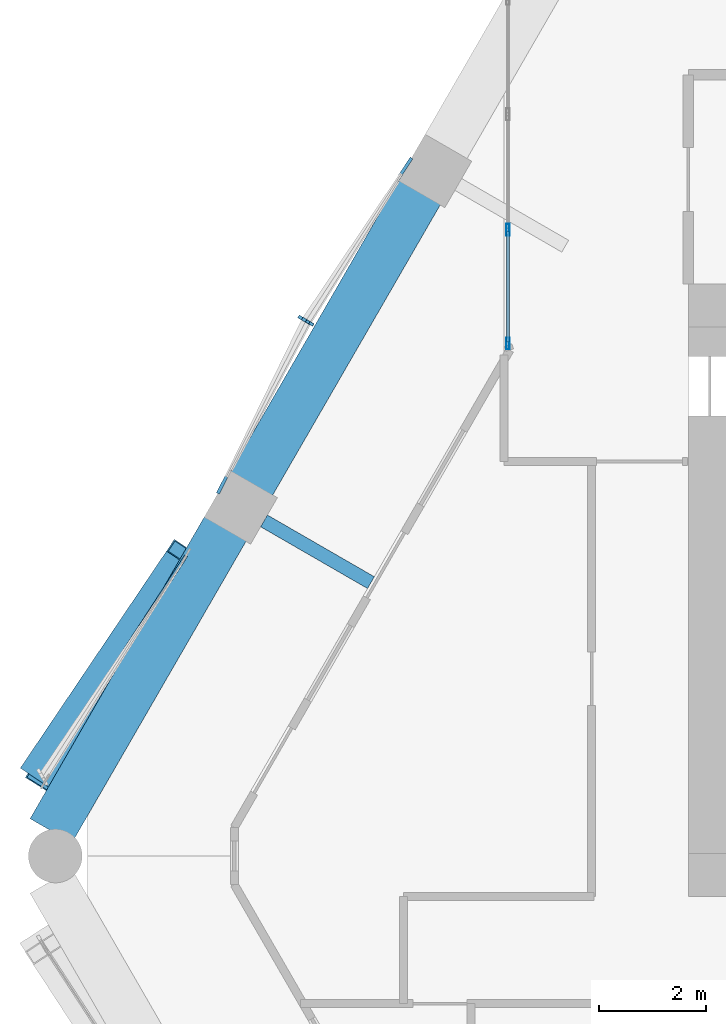
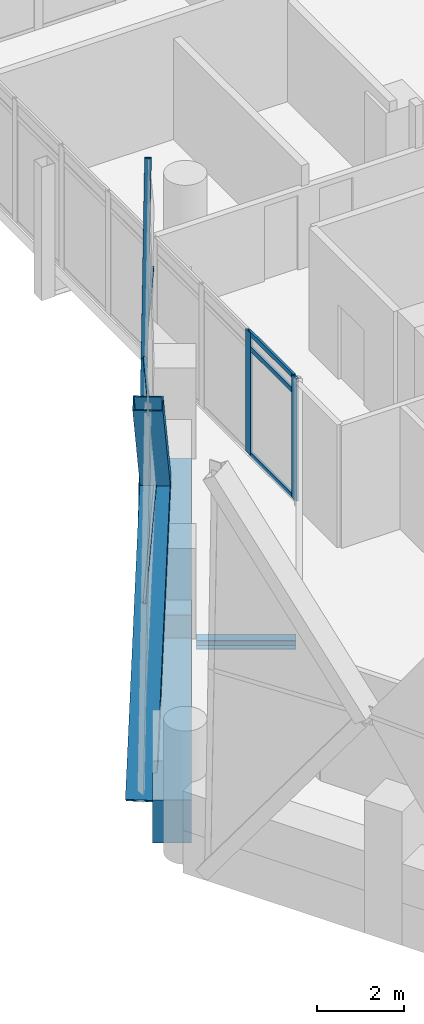
# One storey, part 15 of 37: 12 members, 3 beams, 3 elements without a shape of their own.
"""IFC4 building model written with IfcOpenShell, lengths in metres."""

from ifc_helpers import new_model, si_unit, direction, frame, origin, origin_2d, place, context, subcontext, project, spatial, rectangle, hollow_rectangle, i_section, extrude, material, material_profile, profile_set, type_object, element, aggregate, save


model = new_model("IFC4")

# Units and contexts
model_context = context("Model", 3, precision=1e-05, world=origin(), true_north=direction((0.0, 1.0)))
body_context = subcontext(model_context, "Body", "Model", "MODEL_VIEW")
ifc_project = project(units=[si_unit("LENGTHUNIT", "METRE"), si_unit("AREAUNIT", "SQUARE_METRE"), si_unit("VOLUMEUNIT", "CUBIC_METRE"), si_unit("PLANEANGLEUNIT", "RADIAN"), si_unit("MASSUNIT", "GRAM", prefix="KILO")], contexts=[model_context])

# Site, building, storey
site_placement = place(None, origin())
site = spatial("IfcSite", under=ifc_project, at=site_placement, CompositionType="ELEMENT")
building_placement = place(site_placement, origin())
building = spatial("IfcBuilding", under=site, at=building_placement, Name="Ostrander Bayou Hotel Tower", CompositionType="ELEMENT")
storey_placement = place(building_placement, frame((0.0, 0.0, 198.25)))
storey = spatial("IfcBuildingStorey", under=building, at=storey_placement, Name="L49", CompositionType="ELEMENT", Elevation=198.25)

# Curtain wall, members
ifc_material_1 = material(Name="Aluminium and clear glass", Category="aluminium")
curtain_wall_type_1 = type_object("IfcCurtainWallType", Name="CW-BAR glazed wall", PredefinedType="NOTDEFINED", material=ifc_material_1)
curtain_wall_1_placement = place(storey_placement, origin())
curtain_wall_1 = element("IfcCurtainWall", 1, at=curtain_wall_1_placement, inside=storey, type_object=curtain_wall_type_1, Name="CW-BAR L49:SB4N:E", PredefinedType="NOTDEFINED")
ifc_material_2 = material(Name="Aluminium", Category="aluminium")
ifc_material_profile_1 = material_profile(ifc_material_2, hollow_rectangle(XDim=0.06005859375, YDim=0.219970703125, WallThickness=0.00390625, at=origin_2d()))
ifc_profile_set_1 = profile_set([ifc_material_profile_1], Name="Aluminium")
member_type_1 = type_object("IfcMemberType", Name="CW-BR mullion 60 x 220 mm", PredefinedType="MULLION", material=ifc_profile_set_1)
member_1_placement = place(storey_placement, frame((-11.857177734375, 8.594482421875, 0.0), z_axis=(0.0, 0.0, 1.0), x_axis=(-1.0, 0.0, 0.0)))
member_1 = element("IfcMember", 2, at=member_1_placement, type_object=member_type_1, Name="CW-BAR mullion 1", PredefinedType="MULLION", context=body_context, shape_type="SweptSolid", body=[
    extrude(hollow_rectangle(XDim=0.06005859375, YDim=0.219970703125, WallThickness=0.00390625, at=origin_2d()), origin(), (0.0, 0.0, 1.0), 3.449951171875),
])
member_2_placement = place(storey_placement, frame((-11.857177734375, 10.714599609375, 0.0), z_axis=(0.0, 0.0, 1.0), x_axis=(-1.0, 0.0, 0.0)))
member_2 = element("IfcMember", 3, at=member_2_placement, type_object=member_type_1, Name="CW-BAR mullion 2", PredefinedType="MULLION", context=body_context, shape_type="SweptSolid", body=[
    extrude(hollow_rectangle(XDim=0.06005859375, YDim=0.219970703125, WallThickness=0.00390625, at=origin_2d()), origin(), (0.0, 0.0, 1.0), 3.449951171875),
])
ifc_material_3 = material(Name="Aluminium", Category="aluminium")
ifc_material_profile_2 = material_profile(ifc_material_3, hollow_rectangle(XDim=0.06005859375, YDim=0.1298828125, WallThickness=0.00390625, at=origin_2d()))
ifc_profile_set_2 = profile_set([ifc_material_profile_2], Name="Aluminium")
member_type_2 = type_object("IfcMemberType", Name="CW-BR transom 60 x 130 mm", PredefinedType="USERDEFINED", material=ifc_profile_set_2)
member_3_placement = place(storey_placement, frame((-11.857177734375, 8.62451171875, 0.030029296875), z_axis=(0.0, 1.0, 0.0), x_axis=(-1.0, 0.0, 0.0)))
member_3 = element("IfcMember", 4, at=member_3_placement, type_object=member_type_2, Name="CW-BAR transom 1.1", ObjectType="TRANSOM", PredefinedType="USERDEFINED", context=body_context, shape_type="SweptSolid", body=[
    extrude(hollow_rectangle(XDim=0.06005859375, YDim=0.1298828125, WallThickness=0.00390625, at=origin_2d()), origin(), (0.0, 0.0, 1.0), 2.06005859375),
])
member_4_placement = place(storey_placement, frame((-11.857177734375, 8.62451171875, 3.0), z_axis=(0.0, 1.0, 0.0), x_axis=(-1.0, 0.0, 0.0)))
member_4 = element("IfcMember", 5, at=member_4_placement, type_object=member_type_2, Name="CW-BAR transom 1.2", ObjectType="TRANSOM", PredefinedType="USERDEFINED", context=body_context, shape_type="SweptSolid", body=[
    extrude(hollow_rectangle(XDim=0.06005859375, YDim=0.1298828125, WallThickness=0.00390625, at=origin_2d()), origin(), (0.0, 0.0, 1.0), 2.06005859375),
])
member_5_placement = place(storey_placement, frame((-11.857177734375, 8.62451171875, 3.419921875), z_axis=(0.0, 1.0, 0.0), x_axis=(-1.0, 0.0, 0.0)))
member_5 = element("IfcMember", 6, at=member_5_placement, type_object=member_type_2, Name="CW-BAR transom 1.3", ObjectType="TRANSOM", PredefinedType="USERDEFINED", context=body_context, shape_type="SweptSolid", body=[
    extrude(hollow_rectangle(XDim=0.06005859375, YDim=0.1298828125, WallThickness=0.00390625, at=origin_2d()), origin(), (0.0, 0.0, 1.0), 2.06005859375),
])
aggregate(curtain_wall_1, [member_1, member_2, member_3, member_4, member_5])

ifc_material_4 = material(Name="Aluminium and clear glass", Category="aluminium")
curtain_wall_type_2 = type_object("IfcCurtainWallType", Name="CW-LAT lattice glazing", PredefinedType="NOTDEFINED", material=ifc_material_4)
curtain_wall_2_placement = place(storey_placement, origin())
curtain_wall_2 = element("IfcCurtainWall", 7, at=curtain_wall_2_placement, inside=storey, type_object=curtain_wall_type_2, Name="CW-LAT L49 NW 1", PredefinedType="NOTDEFINED")
ifc_material_5 = material(Name="Aluminium", Category="aluminium")
ifc_material_profile_3 = material_profile(ifc_material_5, hollow_rectangle(XDim=0.06005859375, YDim=0.159912109375, WallThickness=0.00390625, at=origin_2d()))
ifc_profile_set_3 = profile_set([ifc_material_profile_3], Name="Aluminium")
member_type_3 = type_object("IfcMemberType", Name="CW-LA mullion 60 x 160 mm", PredefinedType="MULLION", material=ifc_profile_set_3)
member_6_placement = place(storey_placement, frame((-15.693115234375, 9.060302734375, -0.60009765625), z_axis=(0.012585478078, -0.007247499445, 0.999894534185), x_axis=(0.499032451057, 0.866583298242, 0.0)))
member_6 = element("IfcMember", 8, at=member_6_placement, type_object=member_type_3, Name="CW-LAT mullion 1", PredefinedType="MULLION", context=body_context, shape_type="SweptSolid", body=[
    extrude(hollow_rectangle(XDim=0.06005859375, YDim=0.159912109375, WallThickness=0.00390625, at=origin_2d()), origin(), (0.0, 0.0, 1.0), 5.62548828125),
])
member_7_placement = place(storey_placement, frame((-15.622314453125, 9.01953125, 5.02490234375), z_axis=(0.012585474108, -0.007290895345, 0.999894218748), x_axis=(0.501271486133, 0.865290065348, 0.0)))
member_7 = element("IfcMember", 9, at=member_7_placement, type_object=member_type_3, Name="CW-LAT mullion 2", PredefinedType="MULLION", context=body_context, shape_type="SweptSolid", body=[
    extrude(hollow_rectangle(XDim=0.06005859375, YDim=0.159912109375, WallThickness=0.00390625, at=origin_2d()), origin(), (0.0, 0.0, 1.0), 5.62548828125),
])
aggregate(curtain_wall_2, [member_6, member_7])

curtain_wall_3_placement = place(storey_placement, origin())
curtain_wall_3 = element("IfcCurtainWall", 10, at=curtain_wall_3_placement, inside=storey, type_object=curtain_wall_type_2, Name="CW-LAT L49 NW 2", PredefinedType="NOTDEFINED")
ifc_material_6 = material(Name="Aluminium", Category="aluminium")
ifc_material_profile_4 = material_profile(ifc_material_6, hollow_rectangle(XDim=0.06005859375, YDim=0.1201171875, WallThickness=0.00390625, at=origin_2d()))
ifc_profile_set_4 = profile_set([ifc_material_profile_4], Name="Aluminium")
member_type_4 = type_object("IfcMemberType", Name="CW-LA transom 60 x 120 mm", PredefinedType="USERDEFINED", material=ifc_profile_set_4)
member_8_placement = place(storey_placement, frame((-15.622314453125, 9.01953125, 5.02490234375), z_axis=(0.544446826203, 0.838795358498, 0.0), x_axis=(-0.838795358498, 0.544446826203, 0.0)))
member_8 = element("IfcMember", 11, at=member_8_placement, type_object=member_type_4, Name="CW-LAT transom 3", ObjectType="TRANSOM", PredefinedType="USERDEFINED", context=body_context, shape_type="SweptSolid", body=[
    extrude(hollow_rectangle(XDim=0.06005859375, YDim=0.1201171875, WallThickness=0.00390625, at=origin_2d()), origin(), (0.0, 0.0, 1.0), 3.61376953125),
])
member_9_placement = place(storey_placement, frame((-15.622314453125, 9.01953125, 5.02490234375), z_axis=(-0.454203228225, -0.89089810162, 0.0), x_axis=(0.89089810162, -0.454203228225, 0.0)))
member_9 = element("IfcMember", 12, at=member_9_placement, type_object=member_type_4, Name="CW-LAT transom 4", ObjectType="TRANSOM", PredefinedType="USERDEFINED", context=body_context, shape_type="SweptSolid", body=[
    extrude(hollow_rectangle(XDim=0.06005859375, YDim=0.1201171875, WallThickness=0.00390625, at=origin_2d()), origin(), (0.0, 0.0, 1.0), 3.611572265625),
])
member_10_placement = place(storey_placement, frame((-20.529052734375, 0.5205078125, 5.02490234375), z_axis=(0.544418878198, 0.838813498379, 0.0), x_axis=(-0.838813498379, 0.544418878198, 0.0)))
member_10 = element("IfcMember", 13, at=member_10_placement, type_object=member_type_4, Name="CW-LAT transom 7", ObjectType="TRANSOM", PredefinedType="USERDEFINED", context=body_context, shape_type="SweptSolid", body=[
    extrude(hollow_rectangle(XDim=0.06005859375, YDim=0.1201171875, WallThickness=0.00390625, at=origin_2d()), origin(), (0.0, 0.0, 1.0), 4.91357421875),
])
aggregate(curtain_wall_3, [member_8, member_9, member_10])

# Beam
ifc_material_7 = material(Name="Steel ASTM A992", Category="steel")
ifc_material_profile_5 = material_profile(ifc_material_7, i_section(OverallWidth=0.25390625, OverallDepth=0.25341796875, WebThickness=0.008544921875, FlangeThickness=0.01416015625, at=origin_2d()))
ifc_profile_set_5 = profile_set([ifc_material_profile_5], Name="Steel ASTM A992")
beam_type_1 = type_object("IfcBeamType", Name="LB2 loggia bracket W10x49", PredefinedType="BEAM", material=ifc_profile_set_5)
beam_1_placement = place(storey_placement, frame((-16.40234375, 5.2919921875, -0.4267578125), z_axis=(0.866053019151, -0.499952165731, 0.0), x_axis=(0.499952165731, 0.866053019151, 0.0)))
element("IfcBeam", 14, at=beam_1_placement, inside=storey, type_object=beam_type_1, Name="LB2 L49 NW2", PredefinedType="BEAM", context=body_context, shape_type="SweptSolid", body=[
    extrude(i_section(OverallWidth=0.25390625, OverallDepth=0.25341796875, WebThickness=0.008544921875, FlangeThickness=0.01416015625, at=origin_2d()), origin(), (0.0, 0.0, 1.0), 2.300048828125),
])

# Members
ifc_material_8 = material(Name="Steel ASTM A572 Gr 50", Category="steel")
ifc_material_profile_6 = material_profile(ifc_material_8, hollow_rectangle(XDim=0.699951171875, YDim=0.35009765625, WallThickness=0.02490234375, at=origin_2d()))
ifc_profile_set_6 = profile_set([ifc_material_profile_6], Name="Steel ASTM A572 Gr 50")
member_type_5 = type_object("IfcMemberType", Name="LT1 lattice member box 700 x 350 x 25 mm", PredefinedType="BRACE", material=ifc_profile_set_6)
member_11_placement = place(storey_placement, frame((-17.85400390625, 4.64208984375, 5.02490234375), z_axis=(-0.365854488383, -0.542892495675, -0.755922106748), x_axis=(0.829271981534, -0.558845220649, 0.0)))
element("IfcMember", 15, at=member_11_placement, inside=storey, type_object=member_type_5, Name="LT1 L49 NW 1", PredefinedType="BRACE", context=body_context, shape_type="SweptSolid", body=[
    extrude(hollow_rectangle(XDim=0.699951171875, YDim=0.35009765625, WallThickness=0.02490234375, at=origin_2d()), origin(), (0.0, 0.0, 1.0), 7.441162109375),
])
member_12_placement = place(storey_placement, frame((-17.85400390625, 4.64208984375, 5.02490234375), z_axis=(-0.35049983728, -0.560623903609, 0.750233765415), x_axis=(0.847923591729, -0.530118460903, 0.0)))
element("IfcMember", 16, at=member_12_placement, inside=storey, type_object=member_type_5, Name="LT1 L49 NW 2", PredefinedType="BRACE", context=body_context, shape_type="SweptSolid", body=[
    extrude(hollow_rectangle(XDim=0.699951171875, YDim=0.35009765625, WallThickness=0.02490234375, at=origin_2d()), origin(), (0.0, 0.0, 1.0), 7.49755859375),
])

# Beams
ifc_material_9 = material(Name="Concrete f'c 60 MPa", Category="concrete")
ifc_material_profile_7 = material_profile(ifc_material_9, rectangle(XDim=0.89990234375, YDim=1.199951171875, at=origin_2d()))
ifc_profile_set_7 = profile_set([ifc_material_profile_7], Name="Concrete f'c 60 MPa")
beam_type_2 = type_object("IfcBeamType", Name="SP3 spandrel beam 900 x 1200 mm f'c 60 MPa", PredefinedType="SPANDREL", material=ifc_profile_set_7)
beam_2_placement = place(storey_placement, frame((-13.49560546875, 11.4267578125, -0.60009765625), z_axis=(-0.499984268907, -0.866034485945, 0.0), x_axis=(0.866034485945, -0.499984268907, 0.0)))
element("IfcBeam", 17, at=beam_2_placement, inside=storey, type_object=beam_type_2, Name="SP3 L49 NW-2", PredefinedType="SPANDREL", context=body_context, shape_type="SweptSolid", body=[
    extrude(rectangle(XDim=0.89990234375, YDim=1.199951171875, at=origin_2d()), origin(), (0.0, 0.0, 1.0), 6.296142578125),
])
beam_3_placement = place(storey_placement, frame((-17.113525390625, 5.159912109375, -0.60009765625), z_axis=(-0.500022104698, -0.866012641255, 0.0), x_axis=(0.866012641255, -0.500022104698, 0.0)))
element("IfcBeam", 18, at=beam_3_placement, inside=storey, type_object=beam_type_2, Name="SP3 L49 NW-3", PredefinedType="SPANDREL", context=body_context, shape_type="SweptSolid", body=[
    extrude(rectangle(XDim=0.89990234375, YDim=1.199951171875, at=origin_2d()), origin(), (0.0, 0.0, 1.0), 6.511962890625),
])

save(model, "model.ifc")
